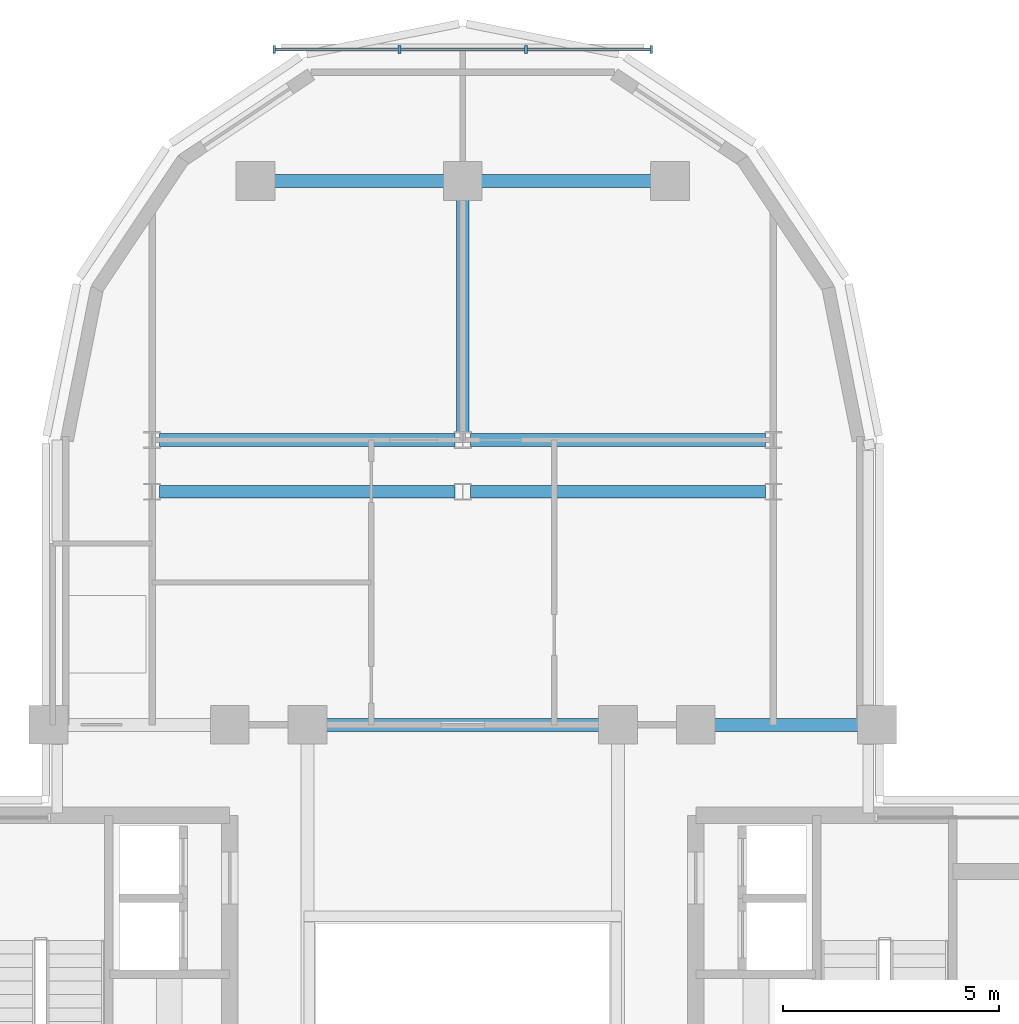
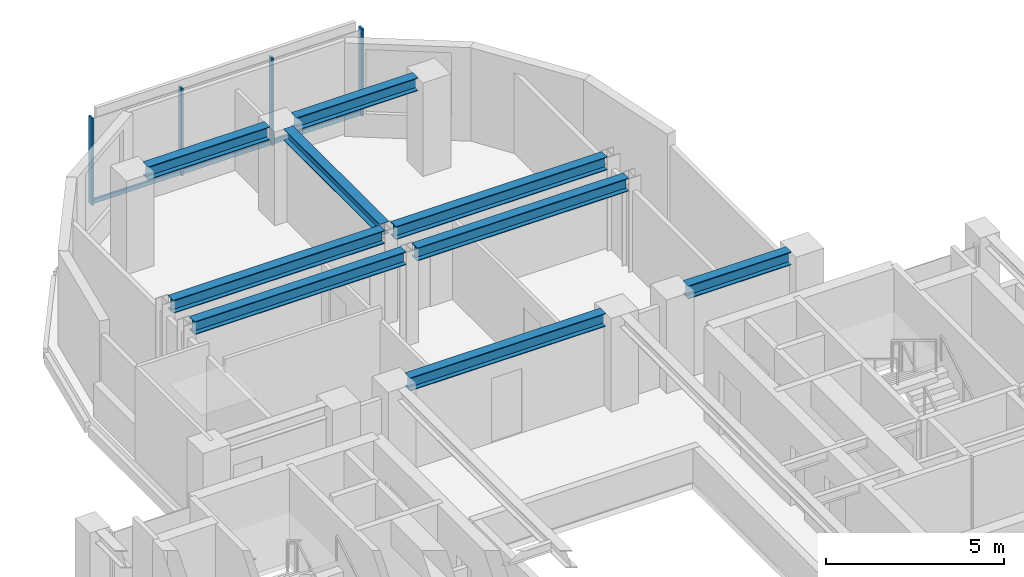
# One storey, part 4 of 11: 9 beams, 7 members, 1 element without a shape of its own.
"""IFC4 building model written with IfcOpenShell, lengths in metres."""

from ifc_helpers import new_model, si_unit, direction, frame, origin, origin_2d, place, context, subcontext, project, spatial, rectangle, i_section, extrude, source, transform, mapped, material, material_profile, profile_set, type_object, element, aggregate, save


model = new_model("IFC4")

# Units and contexts
model_context = context("Model", 3, precision=1e-05, world=origin(), true_north=direction((0.0, 1.0)))
body_context = subcontext(model_context, "Body", "Model", "MODEL_VIEW")
ifc_project = project(units=[si_unit("LENGTHUNIT", "METRE"), si_unit("AREAUNIT", "SQUARE_METRE"), si_unit("VOLUMEUNIT", "CUBIC_METRE"), si_unit("PLANEANGLEUNIT", "RADIAN"), si_unit("MASSUNIT", "GRAM", prefix="KILO")], contexts=[model_context])

# Site, building, storey
site_placement = place(None, origin())
site = spatial("IfcSite", under=ifc_project, at=site_placement, CompositionType="ELEMENT")
building_placement = place(site_placement, origin())
building = spatial("IfcBuilding", under=site, at=building_placement, Name="Keilestroom Media Tower", CompositionType="ELEMENT")
storey_placement = place(building_placement, frame((0.0, 0.0, 204.60009765625)))
storey = spatial("IfcBuildingStorey", under=building, at=storey_placement, Name="L56", CompositionType="ELEMENT", Elevation=204.60009765625)

# Beams
ifc_material_1 = material(Name="Steel S355", Category="steel")
ifc_material_profile_1 = material_profile(ifc_material_1, i_section(OverallWidth=0.300048828125, OverallDepth=0.449951171875, WebThickness=0.011962890625, FlangeThickness=0.02587890625, at=origin_2d()), Name="HEB 450")
ifc_profile_set_1 = profile_set([ifc_material_profile_1], Name="Steel S355")
beam_type_1 = type_object("IfcBeamType", Name="Primary-Structural-Girder-HEB-450", PredefinedType="BEAM", material=ifc_profile_set_1)
shared_shape_1 = source(origin(), body_context, "Body", "SweptSolid", [
    extrude(i_section(OverallWidth=0.300048828125, OverallDepth=0.449951171875, WebThickness=0.011962890625, FlangeThickness=0.02587890625, at=origin_2d()), origin(), (0.0, 0.0, 1.0), 3.940185546875),
])
for number, where, z_axis, x_axis, name in (
    (1, (-4.3701171875, 21.60009765625, 2.974853515625), (1.0, 0.0, 0.0), (0.0, 1.0, 0.0), "L56 Beam BG-7 BM-L56-EW-029"),
    (2, (0.429931640625, 21.60009765625, 2.974853515625), (1.0, 0.0, 0.0), (0.0, 1.0, 0.0), "L56 Beam BG-7 BM-L56-EW-030"),
):
    element("IfcBeam", number, at=place(storey_placement, frame(where, z_axis=z_axis, x_axis=x_axis)), inside=storey, type_object=beam_type_1, Name=name, PredefinedType="BEAM", context=body_context, shape_type="MappedRepresentation", body=[
        mapped(shared_shape_1, transform((0.0, 0.0, 0.0), x_axis=(1.0, 0.0, 0.0), y_axis=(0.0, 1.0, 0.0), z_axis=(0.0, 0.0, 1.0), scale=1.0)),
    ])
shared_shape_2 = source(origin(), body_context, "Body", "SweptSolid", [
    extrude(i_section(OverallWidth=0.300048828125, OverallDepth=0.449951171875, WebThickness=0.011962890625, FlangeThickness=0.02587890625, at=origin_2d()), origin(), (0.0, 0.0, 1.0), 6.842041015625),
])
for number, where, z_axis, x_axis, name in (
    (3, (-7.02099609375, 14.39990234375, 2.974853515625), (1.0, 0.0, 0.0), (0.0, 1.0, 0.0), "L56 Beam BG-7 BM-L56-EW-025"),
    (4, (0.178955078125, 14.39990234375, 2.974853515625), (1.0, 0.0, 0.0), (0.0, 1.0, 0.0), "L56 Beam BG-7 BM-L56-EW-026"),
    (5, (-7.02099609375, 15.60009765625, 2.974853515625), (1.0, 0.0, 0.0), (0.0, 1.0, 0.0), "L56 Beam BG-7 BM-L56-EW-027"),
    (6, (0.178955078125, 15.60009765625, 2.974853515625), (1.0, 0.0, 0.0), (0.0, 1.0, 0.0), "L56 Beam BG-7 BM-L56-EW-028"),
):
    element("IfcBeam", number, at=place(storey_placement, frame(where, z_axis=z_axis, x_axis=x_axis)), inside=storey, type_object=beam_type_1, Name=name, PredefinedType="BEAM", context=body_context, shape_type="MappedRepresentation", body=[
        mapped(shared_shape_2, transform((0.0, 0.0, 0.0), x_axis=(1.0, 0.0, 0.0), y_axis=(0.0, 1.0, 0.0), z_axis=(0.0, 0.0, 1.0), scale=1.0)),
    ])
shared_shape_3 = source(origin(), body_context, "Body", "SweptSolid", [
    extrude(i_section(OverallWidth=0.300048828125, OverallDepth=0.449951171875, WebThickness=0.011962890625, FlangeThickness=0.02587890625, at=origin_2d()), origin(), (0.0, 0.0, 1.0), 3.33984375),
])
beam_1_placement = place(storey_placement, frame((5.830078125, 9.0, 2.974853515625), z_axis=(1.0, 0.0, 0.0), x_axis=(0.0, 1.0, 0.0)))
element("IfcBeam", 7, at=beam_1_placement, inside=storey, type_object=beam_type_1, Name="L56 Beam BG-7 BM-L56-EW-024", PredefinedType="BEAM", context=body_context, shape_type="MappedRepresentation", body=[
    mapped(shared_shape_3, transform((0.0, 0.0, 0.0), x_axis=(1.0, 0.0, 0.0), y_axis=(0.0, 1.0, 0.0), z_axis=(0.0, 0.0, 1.0), scale=1.0)),
])
shared_shape_4 = source(origin(), body_context, "Body", "SweptSolid", [
    extrude(i_section(OverallWidth=0.300048828125, OverallDepth=0.449951171875, WebThickness=0.011962890625, FlangeThickness=0.02587890625, at=origin_2d()), origin(), (0.0, 0.0, 1.0), 6.33984375),
])
beam_2_placement = place(storey_placement, frame((-3.169921875, 9.0, 2.974853515625), z_axis=(1.0, 0.0, 0.0), x_axis=(0.0, 1.0, 0.0)))
element("IfcBeam", 8, at=beam_2_placement, inside=storey, type_object=beam_type_1, Name="L56 Beam BG-7 BM-L56-EW-022", PredefinedType="BEAM", context=body_context, shape_type="MappedRepresentation", body=[
    mapped(shared_shape_4, transform((0.0, 0.0, 0.0), x_axis=(1.0, 0.0, 0.0), y_axis=(0.0, 1.0, 0.0), z_axis=(0.0, 0.0, 1.0), scale=1.0)),
])
ifc_material_profile_2 = material_profile(ifc_material_1, i_section(OverallWidth=0.300048828125, OverallDepth=0.39990234375, WebThickness=0.011474609375, FlangeThickness=0.02392578125, at=origin_2d()), Name="HEB 400")
ifc_profile_set_2 = profile_set([ifc_material_profile_2], Name="Steel S355")
beam_type_2 = type_object("IfcBeamType", Name="Primary-Structural-Girder-HEB-400", PredefinedType="BEAM", material=ifc_profile_set_2)
shared_shape_5 = source(origin(), body_context, "Body", "SweptSolid", [
    extrude(i_section(OverallWidth=0.300048828125, OverallDepth=0.39990234375, WebThickness=0.011474609375, FlangeThickness=0.02392578125, at=origin_2d()), origin(), (0.0, 0.0, 1.0), 5.396484375),
])
beam_3_placement = place(storey_placement, frame((0.0, 15.7734375, 3.0), z_axis=(0.0, 1.0, 0.0), x_axis=(-1.0, 0.0, 0.0)))
element("IfcBeam", 9, at=beam_3_placement, inside=storey, type_object=beam_type_2, Name="L56 Beam BG-8 BM-L56-NS-044", PredefinedType="BEAM", context=body_context, shape_type="MappedRepresentation", body=[
    mapped(shared_shape_5, transform((0.0, 0.0, 0.0), x_axis=(1.0, 0.0, 0.0), y_axis=(0.0, 1.0, 0.0), z_axis=(0.0, 0.0, 1.0), scale=1.0)),
])

# Curtain wall, members
ifc_material_2 = material(Name="Anodised Aluminium Alloy", Category="aluminium")
curtain_wall_type = type_object("IfcCurtainWallType", Name="Unitised-Curtain-Wall-CW-6", PredefinedType="NOTDEFINED", material=ifc_material_2)
curtain_wall_placement = place(storey_placement, origin())
curtain_wall = element("IfcCurtainWall", 10, at=curtain_wall_placement, inside=storey, type_object=curtain_wall_type, Name="L56 Curtain Wall CW-6 CW-L56-LN-1", PredefinedType="NOTDEFINED")
ifc_material_profile_3 = material_profile(ifc_material_2, rectangle(XDim=0.06494140625, YDim=0.179931640625, at=origin_2d()), Name="ALU MULLION 65x180")
ifc_profile_set_3 = profile_set([ifc_material_profile_3], Name="Anodised Aluminium Alloy")
member_type_1 = type_object("IfcMemberType", Name="Curtain-Wall-Mullion-CW-6", PredefinedType="MULLION", material=ifc_profile_set_3)
shared_shape_6 = source(origin(), body_context, "Body", "SweptSolid", [
    extrude(rectangle(XDim=0.06494140625, YDim=0.179931640625, at=origin_2d()), origin(), (0.0, 0.0, 1.0), 2.97998046875),
])
member_1_placement = place(storey_placement, frame((-4.367431640625, 24.64990234375, 0.0), z_axis=(0.0, 0.0, 1.0), x_axis=(1.0, 0.0, 0.0)))
member_1 = element("IfcMember", 11, at=member_1_placement, type_object=member_type_1, Name="CW-6 Mullion 00", PredefinedType="MULLION", context=body_context, shape_type="MappedRepresentation", body=[
    mapped(shared_shape_6, transform((0.0, 0.0, 0.0), x_axis=(1.0, 0.0, 0.0), y_axis=(0.0, 1.0, 0.0), z_axis=(0.0, 0.0, 1.0), scale=1.0)),
])
member_2_placement = place(storey_placement, frame((-1.466796875, 24.64990234375, 0.0), z_axis=(0.0, 0.0, 1.0), x_axis=(1.0, 0.0, 0.0)))
member_2 = element("IfcMember", 12, at=member_2_placement, type_object=member_type_1, Name="CW-6 Mullion 01", PredefinedType="MULLION", context=body_context, shape_type="MappedRepresentation", body=[
    mapped(shared_shape_6, transform((0.0, 0.0, 0.0), x_axis=(1.0, 0.0, 0.0), y_axis=(0.0, 1.0, 0.0), z_axis=(0.0, 0.0, 1.0), scale=1.0)),
])
member_3_placement = place(storey_placement, frame((1.466796875, 24.64990234375, 0.0), z_axis=(0.0, 0.0, 1.0), x_axis=(1.0, 0.0, 0.0)))
member_3 = element("IfcMember", 13, at=member_3_placement, type_object=member_type_1, Name="CW-6 Mullion 02", PredefinedType="MULLION", context=body_context, shape_type="MappedRepresentation", body=[
    mapped(shared_shape_6, transform((0.0, 0.0, 0.0), x_axis=(1.0, 0.0, 0.0), y_axis=(0.0, 1.0, 0.0), z_axis=(0.0, 0.0, 1.0), scale=1.0)),
])
member_4_placement = place(storey_placement, frame((4.367431640625, 24.64990234375, 0.0), z_axis=(0.0, 0.0, 1.0), x_axis=(1.0, 0.0, 0.0)))
member_4 = element("IfcMember", 14, at=member_4_placement, type_object=member_type_1, Name="CW-6 Mullion 03", PredefinedType="MULLION", context=body_context, shape_type="MappedRepresentation", body=[
    mapped(shared_shape_6, transform((0.0, 0.0, 0.0), x_axis=(1.0, 0.0, 0.0), y_axis=(0.0, 1.0, 0.0), z_axis=(0.0, 0.0, 1.0), scale=1.0)),
])
ifc_material_profile_4 = material_profile(ifc_material_2, rectangle(XDim=0.06494140625, YDim=0.14990234375, at=origin_2d()), Name="ALU TRANSOM 65x150")
ifc_profile_set_4 = profile_set([ifc_material_profile_4], Name="Anodised Aluminium Alloy")
member_type_2 = type_object("IfcMemberType", Name="Curtain-Wall-Transom-CW-6", PredefinedType="USERDEFINED", material=ifc_profile_set_4)
shared_shape_7 = source(origin(), body_context, "Body", "SweptSolid", [
    extrude(rectangle(XDim=0.06494140625, YDim=0.14990234375, at=origin_2d()), origin(), (0.0, 0.0, 1.0), 2.839599609375),
])
member_5_placement = place(storey_placement, frame((-4.3369140625, 24.64990234375, 0.074951171875), z_axis=(1.0, 0.0, 0.0), x_axis=(0.0, 1.0, 0.0)))
member_5 = element("IfcMember", 15, at=member_5_placement, type_object=member_type_2, Name="CW-6 Transom 00.1", ObjectType="TRANSOM", PredefinedType="USERDEFINED", context=body_context, shape_type="MappedRepresentation", body=[
    mapped(shared_shape_7, transform((0.0, 0.0, 0.0), x_axis=(1.0, 0.0, 0.0), y_axis=(0.0, 1.0, 0.0), z_axis=(0.0, 0.0, 1.0), scale=1.0)),
])
member_6_placement = place(storey_placement, frame((1.497314453125, 24.64990234375, 0.074951171875), z_axis=(1.0, 0.0, 0.0), x_axis=(0.0, 1.0, 0.0)))
member_6 = element("IfcMember", 16, at=member_6_placement, type_object=member_type_2, Name="CW-6 Transom 02.1", ObjectType="TRANSOM", PredefinedType="USERDEFINED", context=body_context, shape_type="MappedRepresentation", body=[
    mapped(shared_shape_7, transform((0.0, 0.0, 0.0), x_axis=(1.0, 0.0, 0.0), y_axis=(0.0, 1.0, 0.0), z_axis=(0.0, 0.0, 1.0), scale=1.0)),
])
shared_shape_8 = source(origin(), body_context, "Body", "SweptSolid", [
    extrude(rectangle(XDim=0.06494140625, YDim=0.14990234375, at=origin_2d()), origin(), (0.0, 0.0, 1.0), 2.87255859375),
])
member_7_placement = place(storey_placement, frame((-1.436279296875, 24.64990234375, 0.074951171875), z_axis=(1.0, 0.0, 0.0), x_axis=(0.0, 1.0, 0.0)))
member_7 = element("IfcMember", 17, at=member_7_placement, type_object=member_type_2, Name="CW-6 Transom 01.1", ObjectType="TRANSOM", PredefinedType="USERDEFINED", context=body_context, shape_type="MappedRepresentation", body=[
    mapped(shared_shape_8, transform((0.0, 0.0, 0.0), x_axis=(1.0, 0.0, 0.0), y_axis=(0.0, 1.0, 0.0), z_axis=(0.0, 0.0, 1.0), scale=1.0)),
])
aggregate(curtain_wall, [member_1, member_2, member_3, member_4, member_5, member_7, member_6])

save(model, "model.ifc")
